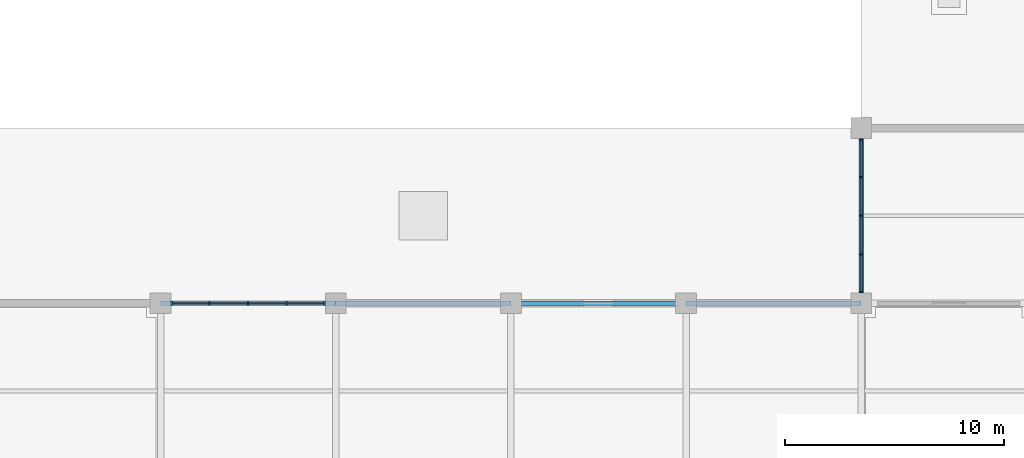
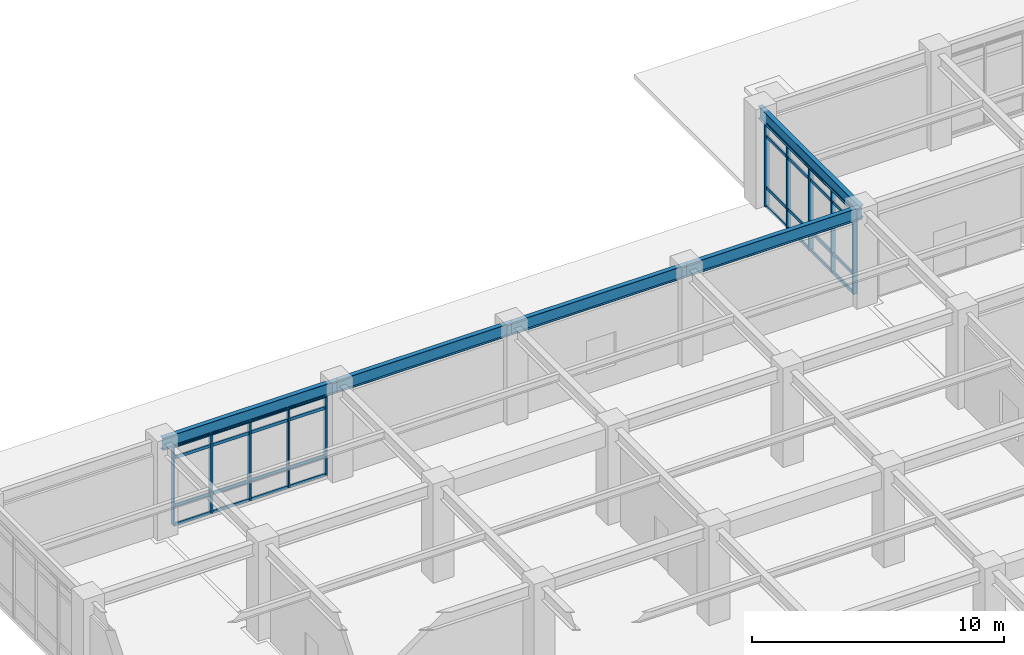
# One storey, part 40 of 109: 42 members, 5 beams, 2 elements without a shape of their own.
"""IFC4 building model written with IfcOpenShell, lengths in metres."""

import ifcopenshell
import ifcopenshell.guid

model = None  # the IFC model being written
_history = None  # IfcOwnerHistory: only IFC2X3 demands one
_inside = {}  # id of a spatial element -> (the spatial element, [elements in it])
_under = {}  # id of a project, library or spatial element -> (it, [spatial elements below it])
_declared = {}  # id of a project -> (the project, [libraries it declares])
_typed = {}  # id of a type object -> (the type object, [elements of that type])
_made_of = {}  # id of a material, layer set ... -> (it, [elements and type objects made of it])


def new_model(schema):
    """Start an empty IFC model of exactly this schema.

    Asked for "IFC4X3", IfcOpenShell would pick the latest addendum, in which some entities
    have other attributes; the version numbers below select the first issue.
    IFC2X3 requires an IfcOwnerHistory on every rooted entity: one is made here for all.
    """
    global model, _history
    if schema == "IFC4X3":
        model = ifcopenshell.file(schema_version=(4, 3, 0, 0))
    else:
        model = ifcopenshell.file(schema=schema)
    _inside.clear()
    _under.clear()
    _declared.clear()
    _typed.clear()
    _made_of.clear()
    _history = None
    if model.schema == "IFC2X3":
        org = make("IfcOrganization", Name="unknown")
        user = make(
            "IfcPersonAndOrganization",
            ThePerson=make("IfcPerson", FamilyName="unknown"),
            TheOrganization=org,
        )
        app = make(
            "IfcApplication",
            ApplicationDeveloper=org,
            Version="unknown",
            ApplicationFullName="unknown",
            ApplicationIdentifier="unknown",
        )
        _history = make(
            "IfcOwnerHistory",
            OwningUser=user,
            OwningApplication=app,
            ChangeAction="ADDED",
            CreationDate=0,
        )
    return model


def make(cls, **values):
    """One entity of the class cls with the attributes given. An attribute that is None is left unset."""
    return model.create_entity(
        cls, **{name: value for name, value in values.items() if value is not None}
    )


def rooted(cls, **values):
    """An entity with a GlobalId (a new one), such as an element, a storey or a relation."""
    return make(cls, GlobalId=ifcopenshell.guid.new(), OwnerHistory=_history, **values)


def si_unit(unit_type, name, prefix=None):
    """IfcSIUnit, for example si_unit("LENGTHUNIT", "METRE", prefix="MILLI")."""
    return make("IfcSIUnit", UnitType=unit_type, Prefix=prefix, Name=name)


def assignment(units):
    """IfcUnitAssignment: the units of a project."""
    return None if units is None else make("IfcUnitAssignment", Units=units)


def point(xyz):
    """IfcCartesianPoint."""
    return None if xyz is None else make("IfcCartesianPoint", Coordinates=xyz)


def direction(xyz):
    """IfcDirection."""
    return None if xyz is None else make("IfcDirection", DirectionRatios=xyz)


def frame(location, z_axis=None, x_axis=None):
    """IfcAxis2Placement3D, a coordinate frame: its origin and axes. An axis left out is left unset."""
    return make(
        "IfcAxis2Placement3D",
        Location=point(location),
        Axis=direction(z_axis),
        RefDirection=direction(x_axis),
    )


def frame_2d(location, x_axis=None):
    """IfcAxis2Placement2D, a coordinate frame in the plane: its origin and x axis."""
    return make(
        "IfcAxis2Placement2D", Location=point(location), RefDirection=direction(x_axis)
    )


def origin():
    """The frame at (0, 0, 0) with its axes left unset."""
    return frame((0.0, 0.0, 0.0))


def origin_2d():
    """The frame at (0, 0) in the plane with its x axis left unset."""
    return frame_2d((0.0, 0.0))


def place(relative_to, where):
    """IfcLocalPlacement: puts the frame where relative to a parent placement (None: the world)."""
    return make(
        "IfcLocalPlacement", PlacementRelTo=relative_to, RelativePlacement=where
    )


def context(
    kind, dimensions, precision=None, world=None, true_north=None, identifier=None
):
    """IfcGeometricRepresentationContext, for example the 3D "Model" context."""
    return make(
        "IfcGeometricRepresentationContext",
        ContextIdentifier=identifier,
        ContextType=kind,
        CoordinateSpaceDimension=dimensions,
        Precision=precision,
        WorldCoordinateSystem=world,
        TrueNorth=true_north,
    )


def subcontext(parent, identifier, kind, view, scale=None):
    """IfcGeometricRepresentationSubContext, for example "Body" below "Model"."""
    return make(
        "IfcGeometricRepresentationSubContext",
        ContextIdentifier=identifier,
        ContextType=kind,
        ParentContext=parent,
        TargetScale=scale,
        TargetView=view,
    )


def project(units=None, contexts=None):
    """IfcProject with its units and contexts."""
    return rooted(
        "IfcProject",
        Name="project",
        RepresentationContexts=contexts,
        UnitsInContext=assignment(units),
    )


def spatial(cls, under=None, at=None, **own):
    """A site, building, storey or space (cls), placed at a placement, below another one or the project."""
    s = rooted(cls, ObjectPlacement=at, **own)
    if under is not None:
        _under.setdefault(under.id(), (under, []))[1].append(s)
    return s


def profile(cls, at=None, kind="AREA", **sizes):
    """A parametric profile (cls). Its sizes go by their IFC names, for example OverallWidth=200.0."""
    return make(cls, ProfileType=kind, Position=at, **sizes)


def rectangle(**sizes):
    """IfcRectangleProfileDef."""
    return profile("IfcRectangleProfileDef", **sizes)


def i_section(**sizes):
    """IfcIShapeProfileDef."""
    return profile("IfcIShapeProfileDef", **sizes)


def extrude(swept, where, along, depth):
    """IfcExtrudedAreaSolid: the profile swept, set in the frame where, extruded along a direction by depth."""
    return make(
        "IfcExtrudedAreaSolid",
        SweptArea=swept,
        Position=where,
        ExtrudedDirection=direction(along),
        Depth=depth,
    )


def shape(context_of_items, identifier, shape_type, items):
    """IfcShapeRepresentation: the items that make up one representation, for example the "Body"."""
    return make(
        "IfcShapeRepresentation",
        ContextOfItems=context_of_items,
        RepresentationIdentifier=identifier,
        RepresentationType=shape_type,
        Items=items,
    )


def material(Name=None, Category=None):
    """IfcMaterial."""
    return make("IfcMaterial", Name=Name, Category=Category)


def layer(
    of_material, thickness, ventilated=None, Name=None, Category=None, Priority=None
):
    """IfcMaterialLayer: one layer of a wall or slab, of a material (None: an air gap)."""
    return make(
        "IfcMaterialLayer",
        Material=of_material,
        LayerThickness=thickness,
        IsVentilated=ventilated,
        Name=Name,
        Category=Category,
        Priority=Priority,
    )


def layer_set(layers, Name=None):
    """IfcMaterialLayerSet."""
    return make("IfcMaterialLayerSet", MaterialLayers=layers, LayerSetName=Name)


def material_profile(
    of_material, cross_section, Name=None, Category=None, Priority=None
):
    """IfcMaterialProfile: a cross section and its material."""
    return make(
        "IfcMaterialProfile",
        Name=Name,
        Material=of_material,
        Profile=cross_section,
        Priority=Priority,
        Category=Category,
    )


def profile_set(profiles, Name=None, composite=None):
    """IfcMaterialProfileSet."""
    return make(
        "IfcMaterialProfileSet",
        Name=Name,
        MaterialProfiles=profiles,
        CompositeProfile=composite,
    )


def made_of(thing, what):
    """Note that an element or type object is made of a material, layer set ...; save() writes the relation."""
    if what is not None:
        _made_of.setdefault(what.id(), (what, []))[1].append(thing)
    return thing


def type_object(cls, material=None, **own):
    """A type object (cls), such as IfcWallType, which elements share."""
    return made_of(rooted(cls, **own), material)


def element(
    cls,
    number,
    at=None,
    inside=None,
    cuts=None,
    type_object=None,
    material=None,
    context=None,
    identifier="Body",
    shape_type=None,
    held_by="IfcProductDefinitionShape",
    body=None,
    shapes=None,
    **own,
):
    """One element of the class cls, such as IfcWall. Its Tag is "e" and its number.

    at: its placement. inside: the storey or other place that contains it. cuts: it is an
    opening in that element (IfcRelVoidsElement). A single representation is given by context,
    identifier, shape_type and body (its items); several are given by shapes. held_by: the class
    of the entity that holds the representations. save() writes the other relations.
    """
    e = rooted(cls, Tag="e%d" % number, ObjectPlacement=at, **own)
    if body is not None:
        shapes = [shape(context, identifier, shape_type, body)]
    if shapes is not None:
        e.Representation = make(held_by, Representations=shapes)
    if inside is not None:
        _inside.setdefault(inside.id(), (inside, []))[1].append(e)
    if cuts is not None:
        rooted(
            "IfcRelVoidsElement", RelatingBuildingElement=cuts, RelatedOpeningElement=e
        )
    if type_object is not None:
        _typed.setdefault(type_object.id(), (type_object, []))[1].append(e)
    return made_of(e, material)


def aggregate(whole, parts):
    """IfcRelAggregates: a whole, such as a stair, and the parts it consists of."""
    return rooted("IfcRelAggregates", RelatingObject=whole, RelatedObjects=parts)


def save(model, path):
    """Write the relations noted so far, then the file.

    IfcRelAggregates (storeys below a building ...), IfcRelContainedInSpatialStructure (elements
    in a storey), IfcRelDefinesByType, IfcRelAssociatesMaterial and IfcRelDeclares: one each for
    every whole, place, type object, material and project.
    """
    for whole, parts in _under.values():
        aggregate(whole, parts)
    for where, things in _inside.values():
        rooted(
            "IfcRelContainedInSpatialStructure",
            RelatedElements=things,
            RelatingStructure=where,
        )
    for kind, things in _typed.values():
        rooted("IfcRelDefinesByType", RelatedObjects=things, RelatingType=kind)
    for what, things in _made_of.values():
        rooted("IfcRelAssociatesMaterial", RelatedObjects=things, RelatingMaterial=what)
    for by, libraries in _declared.values():
        rooted("IfcRelDeclares", RelatingContext=by, RelatedDefinitions=libraries)
    model.write(path)


model = new_model("IFC4")

# Units and contexts
model_context = context("Model", 3, precision=1e-05, world=origin(), true_north=direction((0.0, 1.0)))
body_context = subcontext(model_context, "Body", "Model", "MODEL_VIEW")
ifc_project = project(units=[si_unit("LENGTHUNIT", "METRE"), si_unit("AREAUNIT", "SQUARE_METRE"), si_unit("VOLUMEUNIT", "CUBIC_METRE"), si_unit("PLANEANGLEUNIT", "RADIAN"), si_unit("MASSUNIT", "GRAM", prefix="KILO")], contexts=[model_context])

# Site, building, storey
site_placement = place(None, origin())
site = spatial("IfcSite", under=ifc_project, at=site_placement, CompositionType="ELEMENT")
building_placement = place(site_placement, origin())
building = spatial("IfcBuilding", under=site, at=building_placement, Name="Haebicheon Civic Stadium", CompositionType="ELEMENT")
storey_placement = place(building_placement, frame((0.0, 0.0, 9.60009765625)))
storey = spatial("IfcBuildingStorey", under=building, at=storey_placement, Name="L03", CompositionType="ELEMENT", Elevation=9.60009765625)

# Curtain wall, members
ifc_material_1 = material(Name="Anodised aluminium and laminated glass", Category="aluminium")
ifc_layer_1 = layer(ifc_material_1, 0.179931640625, Name="Anodised aluminium and laminated glass")
ifc_layer_set_1 = layer_set([ifc_layer_1], Name="Anodised aluminium and laminated glass")
curtain_wall_type_1 = type_object("IfcCurtainWallType", Name="CW-7050x3790", PredefinedType="NOTDEFINED", material=ifc_layer_set_1)
curtain_wall_1_placement = place(storey_placement, origin())
curtain_wall_1 = element("IfcCurtainWall", 1, at=curtain_wall_1_placement, inside=storey, type_object=curtain_wall_type_1, material=ifc_layer_set_1, Name="L03 unitised curtain wall 075", PredefinedType="NOTDEFINED")
ifc_material_2 = material(Name="Anodised aluminium 6063-T6", Category="aluminium")
ifc_material_profile_1 = material_profile(ifc_material_2, rectangle(XDim=0.070068359375, YDim=0.199951171875, at=origin_2d()), Name="ALU-MULL-70x200")
ifc_profile_set_1 = profile_set([ifc_material_profile_1], Name="Anodised aluminium 6063-T6")
member_type_1 = type_object("IfcMemberType", Name="CWM-200x70", PredefinedType="MULLION", material=ifc_profile_set_1)
member_1_placement = place(storey_placement, frame((32.510009765625, 160.0, 0.159912109375), z_axis=(0.0, 0.0, 1.0), x_axis=(1.0, 0.0, 0.0)))
member_1 = element("IfcMember", 2, at=member_1_placement, type_object=member_type_1, material=ifc_profile_set_1, Name="CW-L03-075 vertical mullion 1", PredefinedType="MULLION", context=body_context, shape_type="SweptSolid", body=[
    extrude(rectangle(XDim=0.070068359375, YDim=0.199951171875, at=origin_2d()), origin(), (0.0, 0.0, 1.0), 3.7900390625),
])
member_2_placement = place(storey_placement, frame((34.237060546875, 160.0, 0.159912109375), z_axis=(0.0, 0.0, 1.0), x_axis=(1.0, 0.0, 0.0)))
member_2 = element("IfcMember", 3, at=member_2_placement, type_object=member_type_1, material=ifc_profile_set_1, Name="CW-L03-075 vertical mullion 2", PredefinedType="MULLION", context=body_context, shape_type="SweptSolid", body=[
    extrude(rectangle(XDim=0.070068359375, YDim=0.199951171875, at=origin_2d()), origin(), (0.0, 0.0, 1.0), 3.7900390625),
])
member_3_placement = place(storey_placement, frame((36.0, 160.0, 0.159912109375), z_axis=(0.0, 0.0, 1.0), x_axis=(1.0, 0.0, 0.0)))
member_3 = element("IfcMember", 4, at=member_3_placement, type_object=member_type_1, material=ifc_profile_set_1, Name="CW-L03-075 vertical mullion 3", PredefinedType="MULLION", context=body_context, shape_type="SweptSolid", body=[
    extrude(rectangle(XDim=0.070068359375, YDim=0.199951171875, at=origin_2d()), origin(), (0.0, 0.0, 1.0), 3.7900390625),
])
member_4_placement = place(storey_placement, frame((37.762939453125, 160.0, 0.159912109375), z_axis=(0.0, 0.0, 1.0), x_axis=(1.0, 0.0, 0.0)))
member_4 = element("IfcMember", 5, at=member_4_placement, type_object=member_type_1, material=ifc_profile_set_1, Name="CW-L03-075 vertical mullion 4", PredefinedType="MULLION", context=body_context, shape_type="SweptSolid", body=[
    extrude(rectangle(XDim=0.070068359375, YDim=0.199951171875, at=origin_2d()), origin(), (0.0, 0.0, 1.0), 3.7900390625),
])
member_5_placement = place(storey_placement, frame((39.489990234375, 160.0, 0.159912109375), z_axis=(0.0, 0.0, 1.0), x_axis=(1.0, 0.0, 0.0)))
member_5 = element("IfcMember", 6, at=member_5_placement, type_object=member_type_1, material=ifc_profile_set_1, Name="CW-L03-075 vertical mullion 5", PredefinedType="MULLION", context=body_context, shape_type="SweptSolid", body=[
    extrude(rectangle(XDim=0.070068359375, YDim=0.199951171875, at=origin_2d()), origin(), (0.0, 0.0, 1.0), 3.7900390625),
])

ifc_material_3 = material(Name="Anodised aluminium and laminated glass", Category="aluminium")
ifc_layer_2 = layer(ifc_material_3, 0.179931640625, Name="Anodised aluminium and laminated glass")
ifc_layer_set_2 = layer_set([ifc_layer_2], Name="Anodised aluminium and laminated glass")
curtain_wall_type_2 = type_object("IfcCurtainWallType", Name="CW-7050x3950", PredefinedType="NOTDEFINED", material=ifc_layer_set_2)
curtain_wall_2_placement = place(storey_placement, origin())
curtain_wall_2 = element("IfcCurtainWall", 7, at=curtain_wall_2_placement, inside=storey, type_object=curtain_wall_type_2, material=ifc_layer_set_2, Name="L03 unitised curtain wall 078", PredefinedType="NOTDEFINED")
member_6_placement = place(storey_placement, frame((64.0, 160.510009765625, 0.0), z_axis=(0.0, 0.0, 1.0), x_axis=(0.0, 1.0, 0.0)))
member_6 = element("IfcMember", 8, at=member_6_placement, type_object=member_type_1, material=ifc_profile_set_1, Name="CW-L03-078 vertical mullion 1", PredefinedType="MULLION", context=body_context, shape_type="SweptSolid", body=[
    extrude(rectangle(XDim=0.070068359375, YDim=0.199951171875, at=origin_2d()), origin(), (0.0, 0.0, 1.0), 3.949951171875),
])
member_7_placement = place(storey_placement, frame((64.0, 162.237060546875, 0.0), z_axis=(0.0, 0.0, 1.0), x_axis=(0.0, 1.0, 0.0)))
member_7 = element("IfcMember", 9, at=member_7_placement, type_object=member_type_1, material=ifc_profile_set_1, Name="CW-L03-078 vertical mullion 2", PredefinedType="MULLION", context=body_context, shape_type="SweptSolid", body=[
    extrude(rectangle(XDim=0.070068359375, YDim=0.199951171875, at=origin_2d()), origin(), (0.0, 0.0, 1.0), 3.949951171875),
])
member_8_placement = place(storey_placement, frame((64.0, 164.0, 0.0), z_axis=(0.0, 0.0, 1.0), x_axis=(0.0, 1.0, 0.0)))
member_8 = element("IfcMember", 10, at=member_8_placement, type_object=member_type_1, material=ifc_profile_set_1, Name="CW-L03-078 vertical mullion 3", PredefinedType="MULLION", context=body_context, shape_type="SweptSolid", body=[
    extrude(rectangle(XDim=0.070068359375, YDim=0.199951171875, at=origin_2d()), origin(), (0.0, 0.0, 1.0), 3.949951171875),
])
member_9_placement = place(storey_placement, frame((64.0, 165.762939453125, 0.0), z_axis=(0.0, 0.0, 1.0), x_axis=(0.0, 1.0, 0.0)))
member_9 = element("IfcMember", 11, at=member_9_placement, type_object=member_type_1, material=ifc_profile_set_1, Name="CW-L03-078 vertical mullion 4", PredefinedType="MULLION", context=body_context, shape_type="SweptSolid", body=[
    extrude(rectangle(XDim=0.070068359375, YDim=0.199951171875, at=origin_2d()), origin(), (0.0, 0.0, 1.0), 3.949951171875),
])
member_10_placement = place(storey_placement, frame((64.0, 167.489990234375, 0.0), z_axis=(0.0, 0.0, 1.0), x_axis=(0.0, 1.0, 0.0)))
member_10 = element("IfcMember", 12, at=member_10_placement, type_object=member_type_1, material=ifc_profile_set_1, Name="CW-L03-078 vertical mullion 5", PredefinedType="MULLION", context=body_context, shape_type="SweptSolid", body=[
    extrude(rectangle(XDim=0.070068359375, YDim=0.199951171875, at=origin_2d()), origin(), (0.0, 0.0, 1.0), 3.949951171875),
])

# Member
ifc_material_4 = material(Name="Anodised aluminium 6063-T6", Category="aluminium")
ifc_material_profile_2 = material_profile(ifc_material_4, rectangle(XDim=0.070068359375, YDim=0.14990234375, at=origin_2d()), Name="ALU-TRAN-70x150")
ifc_profile_set_2 = profile_set([ifc_material_profile_2], Name="Anodised aluminium 6063-T6")
member_type_2 = type_object("IfcMemberType", Name="CWT-150x70", PredefinedType="NOTDEFINED", material=ifc_profile_set_2)
member_11_placement = place(storey_placement, frame((32.544921875, 160.0, 0.159912109375), z_axis=(1.0, 0.0, 0.0), x_axis=(0.0, 1.0, 0.0)))
member_11 = element("IfcMember", 13, at=member_11_placement, type_object=member_type_2, material=ifc_profile_set_2, Name="CW-L03-075 horizontal transom 1.1", ObjectType="TRANSOM", PredefinedType="USERDEFINED", context=body_context, shape_type="SweptSolid", body=[
    extrude(rectangle(XDim=0.070068359375, YDim=0.14990234375, at=origin_2d()), origin(), (0.0, 0.0, 1.0), 1.656982421875),
])

member_12_placement = place(storey_placement, frame((32.544921875, 160.0, 1.059814453125), z_axis=(1.0, 0.0, 0.0), x_axis=(0.0, 1.0, 0.0)))
member_12 = element("IfcMember", 14, at=member_12_placement, type_object=member_type_2, material=ifc_profile_set_2, Name="CW-L03-075 horizontal transom 1.2", ObjectType="TRANSOM", PredefinedType="USERDEFINED", context=body_context, shape_type="SweptSolid", body=[
    extrude(rectangle(XDim=0.070068359375, YDim=0.14990234375, at=origin_2d()), origin(), (0.0, 0.0, 1.0), 1.656982421875),
])

member_13_placement = place(storey_placement, frame((32.544921875, 160.0, 3.39990234375), z_axis=(1.0, 0.0, 0.0), x_axis=(0.0, 1.0, 0.0)))
member_13 = element("IfcMember", 15, at=member_13_placement, type_object=member_type_2, material=ifc_profile_set_2, Name="CW-L03-075 horizontal transom 1.3", ObjectType="TRANSOM", PredefinedType="USERDEFINED", context=body_context, shape_type="SweptSolid", body=[
    extrude(rectangle(XDim=0.070068359375, YDim=0.14990234375, at=origin_2d()), origin(), (0.0, 0.0, 1.0), 1.656982421875),
])

member_14_placement = place(storey_placement, frame((32.544921875, 160.0, 3.949951171875), z_axis=(1.0, 0.0, 0.0), x_axis=(0.0, 1.0, 0.0)))
member_14 = element("IfcMember", 16, at=member_14_placement, type_object=member_type_2, material=ifc_profile_set_2, Name="CW-L03-075 horizontal transom 1.4", ObjectType="TRANSOM", PredefinedType="USERDEFINED", context=body_context, shape_type="SweptSolid", body=[
    extrude(rectangle(XDim=0.070068359375, YDim=0.14990234375, at=origin_2d()), origin(), (0.0, 0.0, 1.0), 1.656982421875),
])

member_15_placement = place(storey_placement, frame((34.27197265625, 160.0, 0.159912109375), z_axis=(1.0, 0.0, 0.0), x_axis=(0.0, 1.0, 0.0)))
member_15 = element("IfcMember", 17, at=member_15_placement, type_object=member_type_2, material=ifc_profile_set_2, Name="CW-L03-075 horizontal transom 2.1", ObjectType="TRANSOM", PredefinedType="USERDEFINED", context=body_context, shape_type="SweptSolid", body=[
    extrude(rectangle(XDim=0.070068359375, YDim=0.14990234375, at=origin_2d()), origin(), (0.0, 0.0, 1.0), 1.693115234375),
])

member_16_placement = place(storey_placement, frame((34.27197265625, 160.0, 1.059814453125), z_axis=(1.0, 0.0, 0.0), x_axis=(0.0, 1.0, 0.0)))
member_16 = element("IfcMember", 18, at=member_16_placement, type_object=member_type_2, material=ifc_profile_set_2, Name="CW-L03-075 horizontal transom 2.2", ObjectType="TRANSOM", PredefinedType="USERDEFINED", context=body_context, shape_type="SweptSolid", body=[
    extrude(rectangle(XDim=0.070068359375, YDim=0.14990234375, at=origin_2d()), origin(), (0.0, 0.0, 1.0), 1.693115234375),
])

member_17_placement = place(storey_placement, frame((34.27197265625, 160.0, 3.39990234375), z_axis=(1.0, 0.0, 0.0), x_axis=(0.0, 1.0, 0.0)))
member_17 = element("IfcMember", 19, at=member_17_placement, type_object=member_type_2, material=ifc_profile_set_2, Name="CW-L03-075 horizontal transom 2.3", ObjectType="TRANSOM", PredefinedType="USERDEFINED", context=body_context, shape_type="SweptSolid", body=[
    extrude(rectangle(XDim=0.070068359375, YDim=0.14990234375, at=origin_2d()), origin(), (0.0, 0.0, 1.0), 1.693115234375),
])

member_18_placement = place(storey_placement, frame((34.27197265625, 160.0, 3.949951171875), z_axis=(1.0, 0.0, 0.0), x_axis=(0.0, 1.0, 0.0)))
member_18 = element("IfcMember", 20, at=member_18_placement, type_object=member_type_2, material=ifc_profile_set_2, Name="CW-L03-075 horizontal transom 2.4", ObjectType="TRANSOM", PredefinedType="USERDEFINED", context=body_context, shape_type="SweptSolid", body=[
    extrude(rectangle(XDim=0.070068359375, YDim=0.14990234375, at=origin_2d()), origin(), (0.0, 0.0, 1.0), 1.693115234375),
])

member_19_placement = place(storey_placement, frame((36.034912109375, 160.0, 0.159912109375), z_axis=(1.0, 0.0, 0.0), x_axis=(0.0, 1.0, 0.0)))
member_19 = element("IfcMember", 21, at=member_19_placement, type_object=member_type_2, material=ifc_profile_set_2, Name="CW-L03-075 horizontal transom 3.1", ObjectType="TRANSOM", PredefinedType="USERDEFINED", context=body_context, shape_type="SweptSolid", body=[
    extrude(rectangle(XDim=0.070068359375, YDim=0.14990234375, at=origin_2d()), origin(), (0.0, 0.0, 1.0), 1.693115234375),
])

member_20_placement = place(storey_placement, frame((36.034912109375, 160.0, 1.059814453125), z_axis=(1.0, 0.0, 0.0), x_axis=(0.0, 1.0, 0.0)))
member_20 = element("IfcMember", 22, at=member_20_placement, type_object=member_type_2, material=ifc_profile_set_2, Name="CW-L03-075 horizontal transom 3.2", ObjectType="TRANSOM", PredefinedType="USERDEFINED", context=body_context, shape_type="SweptSolid", body=[
    extrude(rectangle(XDim=0.070068359375, YDim=0.14990234375, at=origin_2d()), origin(), (0.0, 0.0, 1.0), 1.693115234375),
])

member_21_placement = place(storey_placement, frame((36.034912109375, 160.0, 3.39990234375), z_axis=(1.0, 0.0, 0.0), x_axis=(0.0, 1.0, 0.0)))
member_21 = element("IfcMember", 23, at=member_21_placement, type_object=member_type_2, material=ifc_profile_set_2, Name="CW-L03-075 horizontal transom 3.3", ObjectType="TRANSOM", PredefinedType="USERDEFINED", context=body_context, shape_type="SweptSolid", body=[
    extrude(rectangle(XDim=0.070068359375, YDim=0.14990234375, at=origin_2d()), origin(), (0.0, 0.0, 1.0), 1.693115234375),
])

member_22_placement = place(storey_placement, frame((36.034912109375, 160.0, 3.949951171875), z_axis=(1.0, 0.0, 0.0), x_axis=(0.0, 1.0, 0.0)))
member_22 = element("IfcMember", 24, at=member_22_placement, type_object=member_type_2, material=ifc_profile_set_2, Name="CW-L03-075 horizontal transom 3.4", ObjectType="TRANSOM", PredefinedType="USERDEFINED", context=body_context, shape_type="SweptSolid", body=[
    extrude(rectangle(XDim=0.070068359375, YDim=0.14990234375, at=origin_2d()), origin(), (0.0, 0.0, 1.0), 1.693115234375),
])

member_23_placement = place(storey_placement, frame((37.798095703125, 160.0, 0.159912109375), z_axis=(1.0, 0.0, 0.0), x_axis=(0.0, 1.0, 0.0)))
member_23 = element("IfcMember", 25, at=member_23_placement, type_object=member_type_2, material=ifc_profile_set_2, Name="CW-L03-075 horizontal transom 4.1", ObjectType="TRANSOM", PredefinedType="USERDEFINED", context=body_context, shape_type="SweptSolid", body=[
    extrude(rectangle(XDim=0.070068359375, YDim=0.14990234375, at=origin_2d()), origin(), (0.0, 0.0, 1.0), 1.656982421875),
])

member_24_placement = place(storey_placement, frame((37.798095703125, 160.0, 1.059814453125), z_axis=(1.0, 0.0, 0.0), x_axis=(0.0, 1.0, 0.0)))
member_24 = element("IfcMember", 26, at=member_24_placement, type_object=member_type_2, material=ifc_profile_set_2, Name="CW-L03-075 horizontal transom 4.2", ObjectType="TRANSOM", PredefinedType="USERDEFINED", context=body_context, shape_type="SweptSolid", body=[
    extrude(rectangle(XDim=0.070068359375, YDim=0.14990234375, at=origin_2d()), origin(), (0.0, 0.0, 1.0), 1.656982421875),
])

member_25_placement = place(storey_placement, frame((37.798095703125, 160.0, 3.39990234375), z_axis=(1.0, 0.0, 0.0), x_axis=(0.0, 1.0, 0.0)))
member_25 = element("IfcMember", 27, at=member_25_placement, type_object=member_type_2, material=ifc_profile_set_2, Name="CW-L03-075 horizontal transom 4.3", ObjectType="TRANSOM", PredefinedType="USERDEFINED", context=body_context, shape_type="SweptSolid", body=[
    extrude(rectangle(XDim=0.070068359375, YDim=0.14990234375, at=origin_2d()), origin(), (0.0, 0.0, 1.0), 1.656982421875),
])

member_26_placement = place(storey_placement, frame((37.798095703125, 160.0, 3.949951171875), z_axis=(1.0, 0.0, 0.0), x_axis=(0.0, 1.0, 0.0)))
member_26 = element("IfcMember", 28, at=member_26_placement, type_object=member_type_2, material=ifc_profile_set_2, Name="CW-L03-075 horizontal transom 4.4", ObjectType="TRANSOM", PredefinedType="USERDEFINED", context=body_context, shape_type="SweptSolid", body=[
    extrude(rectangle(XDim=0.070068359375, YDim=0.14990234375, at=origin_2d()), origin(), (0.0, 0.0, 1.0), 1.656982421875),
])

aggregate(curtain_wall_1, [member_1, member_2, member_3, member_4, member_5, member_11, member_12, member_13, member_14, member_15, member_16, member_17, member_18, member_19, member_20, member_21, member_22, member_23, member_24, member_25, member_26])

member_27_placement = place(storey_placement, frame((64.0, 160.544921875, 0.0), z_axis=(0.0, 1.0, 0.0), x_axis=(-1.0, 0.0, 0.0)))
member_27 = element("IfcMember", 29, at=member_27_placement, type_object=member_type_2, material=ifc_profile_set_2, Name="CW-L03-078 horizontal transom 1.1", ObjectType="TRANSOM", PredefinedType="USERDEFINED", context=body_context, shape_type="SweptSolid", body=[
    extrude(rectangle(XDim=0.070068359375, YDim=0.14990234375, at=origin_2d()), origin(), (0.0, 0.0, 1.0), 1.656982421875),
])

member_28_placement = place(storey_placement, frame((64.0, 160.544921875, 0.89990234375), z_axis=(0.0, 1.0, 0.0), x_axis=(-1.0, 0.0, 0.0)))
member_28 = element("IfcMember", 30, at=member_28_placement, type_object=member_type_2, material=ifc_profile_set_2, Name="CW-L03-078 horizontal transom 1.2", ObjectType="TRANSOM", PredefinedType="USERDEFINED", context=body_context, shape_type="SweptSolid", body=[
    extrude(rectangle(XDim=0.070068359375, YDim=0.14990234375, at=origin_2d()), origin(), (0.0, 0.0, 1.0), 1.656982421875),
])

member_29_placement = place(storey_placement, frame((64.0, 160.544921875, 3.39990234375), z_axis=(0.0, 1.0, 0.0), x_axis=(-1.0, 0.0, 0.0)))
member_29 = element("IfcMember", 31, at=member_29_placement, type_object=member_type_2, material=ifc_profile_set_2, Name="CW-L03-078 horizontal transom 1.3", ObjectType="TRANSOM", PredefinedType="USERDEFINED", context=body_context, shape_type="SweptSolid", body=[
    extrude(rectangle(XDim=0.070068359375, YDim=0.14990234375, at=origin_2d()), origin(), (0.0, 0.0, 1.0), 1.656982421875),
])

member_30_placement = place(storey_placement, frame((64.0, 160.544921875, 3.949951171875), z_axis=(0.0, 1.0, 0.0), x_axis=(-1.0, 0.0, 0.0)))
member_30 = element("IfcMember", 32, at=member_30_placement, type_object=member_type_2, material=ifc_profile_set_2, Name="CW-L03-078 horizontal transom 1.4", ObjectType="TRANSOM", PredefinedType="USERDEFINED", context=body_context, shape_type="SweptSolid", body=[
    extrude(rectangle(XDim=0.070068359375, YDim=0.14990234375, at=origin_2d()), origin(), (0.0, 0.0, 1.0), 1.656982421875),
])

member_31_placement = place(storey_placement, frame((64.0, 162.27197265625, 0.0), z_axis=(0.0, 1.0, 0.0), x_axis=(-1.0, 0.0, 0.0)))
member_31 = element("IfcMember", 33, at=member_31_placement, type_object=member_type_2, material=ifc_profile_set_2, Name="CW-L03-078 horizontal transom 2.1", ObjectType="TRANSOM", PredefinedType="USERDEFINED", context=body_context, shape_type="SweptSolid", body=[
    extrude(rectangle(XDim=0.070068359375, YDim=0.14990234375, at=origin_2d()), origin(), (0.0, 0.0, 1.0), 1.693115234375),
])

member_32_placement = place(storey_placement, frame((64.0, 162.27197265625, 0.89990234375), z_axis=(0.0, 1.0, 0.0), x_axis=(-1.0, 0.0, 0.0)))
member_32 = element("IfcMember", 34, at=member_32_placement, type_object=member_type_2, material=ifc_profile_set_2, Name="CW-L03-078 horizontal transom 2.2", ObjectType="TRANSOM", PredefinedType="USERDEFINED", context=body_context, shape_type="SweptSolid", body=[
    extrude(rectangle(XDim=0.070068359375, YDim=0.14990234375, at=origin_2d()), origin(), (0.0, 0.0, 1.0), 1.693115234375),
])

member_33_placement = place(storey_placement, frame((64.0, 162.27197265625, 3.39990234375), z_axis=(0.0, 1.0, 0.0), x_axis=(-1.0, 0.0, 0.0)))
member_33 = element("IfcMember", 35, at=member_33_placement, type_object=member_type_2, material=ifc_profile_set_2, Name="CW-L03-078 horizontal transom 2.3", ObjectType="TRANSOM", PredefinedType="USERDEFINED", context=body_context, shape_type="SweptSolid", body=[
    extrude(rectangle(XDim=0.070068359375, YDim=0.14990234375, at=origin_2d()), origin(), (0.0, 0.0, 1.0), 1.693115234375),
])

member_34_placement = place(storey_placement, frame((64.0, 162.27197265625, 3.949951171875), z_axis=(0.0, 1.0, 0.0), x_axis=(-1.0, 0.0, 0.0)))
member_34 = element("IfcMember", 36, at=member_34_placement, type_object=member_type_2, material=ifc_profile_set_2, Name="CW-L03-078 horizontal transom 2.4", ObjectType="TRANSOM", PredefinedType="USERDEFINED", context=body_context, shape_type="SweptSolid", body=[
    extrude(rectangle(XDim=0.070068359375, YDim=0.14990234375, at=origin_2d()), origin(), (0.0, 0.0, 1.0), 1.693115234375),
])

member_35_placement = place(storey_placement, frame((64.0, 164.034912109375, 0.0), z_axis=(0.0, 1.0, 0.0), x_axis=(-1.0, 0.0, 0.0)))
member_35 = element("IfcMember", 37, at=member_35_placement, type_object=member_type_2, material=ifc_profile_set_2, Name="CW-L03-078 horizontal transom 3.1", ObjectType="TRANSOM", PredefinedType="USERDEFINED", context=body_context, shape_type="SweptSolid", body=[
    extrude(rectangle(XDim=0.070068359375, YDim=0.14990234375, at=origin_2d()), origin(), (0.0, 0.0, 1.0), 1.693115234375),
])

member_36_placement = place(storey_placement, frame((64.0, 164.034912109375, 0.89990234375), z_axis=(0.0, 1.0, 0.0), x_axis=(-1.0, 0.0, 0.0)))
member_36 = element("IfcMember", 38, at=member_36_placement, type_object=member_type_2, material=ifc_profile_set_2, Name="CW-L03-078 horizontal transom 3.2", ObjectType="TRANSOM", PredefinedType="USERDEFINED", context=body_context, shape_type="SweptSolid", body=[
    extrude(rectangle(XDim=0.070068359375, YDim=0.14990234375, at=origin_2d()), origin(), (0.0, 0.0, 1.0), 1.693115234375),
])

member_37_placement = place(storey_placement, frame((64.0, 164.034912109375, 3.39990234375), z_axis=(0.0, 1.0, 0.0), x_axis=(-1.0, 0.0, 0.0)))
member_37 = element("IfcMember", 39, at=member_37_placement, type_object=member_type_2, material=ifc_profile_set_2, Name="CW-L03-078 horizontal transom 3.3", ObjectType="TRANSOM", PredefinedType="USERDEFINED", context=body_context, shape_type="SweptSolid", body=[
    extrude(rectangle(XDim=0.070068359375, YDim=0.14990234375, at=origin_2d()), origin(), (0.0, 0.0, 1.0), 1.693115234375),
])

member_38_placement = place(storey_placement, frame((64.0, 164.034912109375, 3.949951171875), z_axis=(0.0, 1.0, 0.0), x_axis=(-1.0, 0.0, 0.0)))
member_38 = element("IfcMember", 40, at=member_38_placement, type_object=member_type_2, material=ifc_profile_set_2, Name="CW-L03-078 horizontal transom 3.4", ObjectType="TRANSOM", PredefinedType="USERDEFINED", context=body_context, shape_type="SweptSolid", body=[
    extrude(rectangle(XDim=0.070068359375, YDim=0.14990234375, at=origin_2d()), origin(), (0.0, 0.0, 1.0), 1.693115234375),
])

member_39_placement = place(storey_placement, frame((64.0, 165.798095703125, 0.0), z_axis=(0.0, 1.0, 0.0), x_axis=(-1.0, 0.0, 0.0)))
member_39 = element("IfcMember", 41, at=member_39_placement, type_object=member_type_2, material=ifc_profile_set_2, Name="CW-L03-078 horizontal transom 4.1", ObjectType="TRANSOM", PredefinedType="USERDEFINED", context=body_context, shape_type="SweptSolid", body=[
    extrude(rectangle(XDim=0.070068359375, YDim=0.14990234375, at=origin_2d()), origin(), (0.0, 0.0, 1.0), 1.656982421875),
])

member_40_placement = place(storey_placement, frame((64.0, 165.798095703125, 0.89990234375), z_axis=(0.0, 1.0, 0.0), x_axis=(-1.0, 0.0, 0.0)))
member_40 = element("IfcMember", 42, at=member_40_placement, type_object=member_type_2, material=ifc_profile_set_2, Name="CW-L03-078 horizontal transom 4.2", ObjectType="TRANSOM", PredefinedType="USERDEFINED", context=body_context, shape_type="SweptSolid", body=[
    extrude(rectangle(XDim=0.070068359375, YDim=0.14990234375, at=origin_2d()), origin(), (0.0, 0.0, 1.0), 1.656982421875),
])

member_41_placement = place(storey_placement, frame((64.0, 165.798095703125, 3.39990234375), z_axis=(0.0, 1.0, 0.0), x_axis=(-1.0, 0.0, 0.0)))
member_41 = element("IfcMember", 43, at=member_41_placement, type_object=member_type_2, material=ifc_profile_set_2, Name="CW-L03-078 horizontal transom 4.3", ObjectType="TRANSOM", PredefinedType="USERDEFINED", context=body_context, shape_type="SweptSolid", body=[
    extrude(rectangle(XDim=0.070068359375, YDim=0.14990234375, at=origin_2d()), origin(), (0.0, 0.0, 1.0), 1.656982421875),
])

member_42_placement = place(storey_placement, frame((64.0, 165.798095703125, 3.949951171875), z_axis=(0.0, 1.0, 0.0), x_axis=(-1.0, 0.0, 0.0)))
member_42 = element("IfcMember", 44, at=member_42_placement, type_object=member_type_2, material=ifc_profile_set_2, Name="CW-L03-078 horizontal transom 4.4", ObjectType="TRANSOM", PredefinedType="USERDEFINED", context=body_context, shape_type="SweptSolid", body=[
    extrude(rectangle(XDim=0.070068359375, YDim=0.14990234375, at=origin_2d()), origin(), (0.0, 0.0, 1.0), 1.656982421875),
])

aggregate(curtain_wall_2, [member_6, member_7, member_8, member_9, member_10, member_27, member_28, member_29, member_30, member_31, member_32, member_33, member_34, member_35, member_36, member_37, member_38, member_39, member_40, member_41, member_42])

# Beams
ifc_material_5 = material(Name="Steel SM355 (S355)", Category="steel")
ifc_material_profile_3 = material_profile(ifc_material_5, i_section(OverallWidth=0.199951171875, OverallDepth=0.60009765625, WebThickness=0.010986328125, FlangeThickness=0.01708984375, at=origin_2d()), Name="H-600x200x11x17")
ifc_profile_set_3 = profile_set([ifc_material_profile_3], Name="Steel SM355 (S355)")
beam_type = type_object("IfcBeamType", Name="SPD-ST-H600B", PredefinedType="SPANDREL", material=ifc_profile_set_3)
for number, where, z_axis, x_axis, name in (
    (45, (64.0, 160.0, 4.27978515625), (0.0, 1.0, 0.0), (-1.0, 0.0, 0.0), "L03 girder 9/W-X"),
    (46, (32.0, 160.0, 4.27978515625), (1.0, 0.0, 0.0), (0.0, 1.0, 0.0), "L03 beam W/5-6"),
    (47, (40.0, 160.0, 4.27978515625), (1.0, 0.0, 0.0), (0.0, 1.0, 0.0), "L03 beam W/6-7"),
    (48, (48.0, 160.0, 4.27978515625), (1.0, 0.0, 0.0), (0.0, 1.0, 0.0), "L03 beam W/7-8"),
    (49, (56.0, 160.0, 4.27978515625), (1.0, 0.0, 0.0), (0.0, 1.0, 0.0), "L03 beam W/8-9"),
):
    element("IfcBeam", number, at=place(storey_placement, frame(where, z_axis=z_axis, x_axis=x_axis)), inside=storey, type_object=beam_type, material=ifc_profile_set_3, Name=name, PredefinedType="SPANDREL", context=body_context, shape_type="SweptSolid", body=[
        extrude(i_section(OverallWidth=0.199951171875, OverallDepth=0.60009765625, WebThickness=0.010986328125, FlangeThickness=0.01708984375, at=origin_2d()), origin(), (0.0, 0.0, 1.0), 8.0),
    ])

save(model, "model.ifc")
